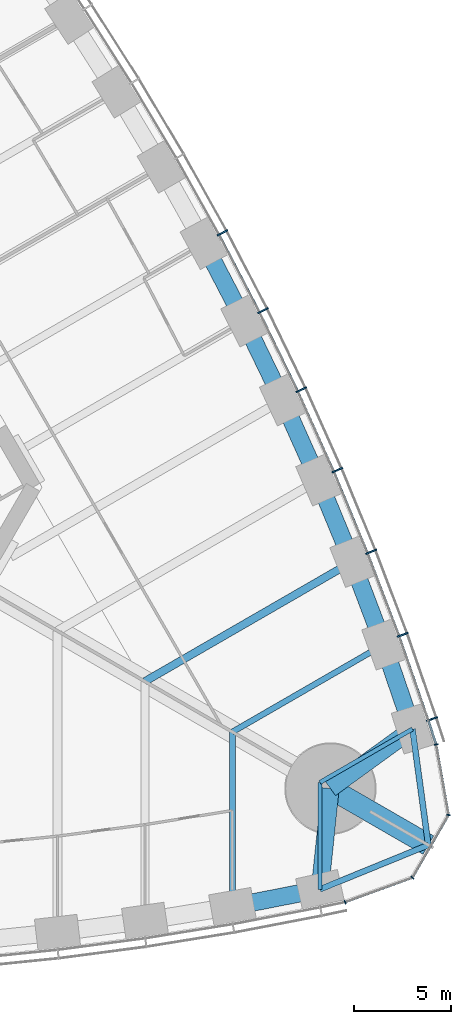
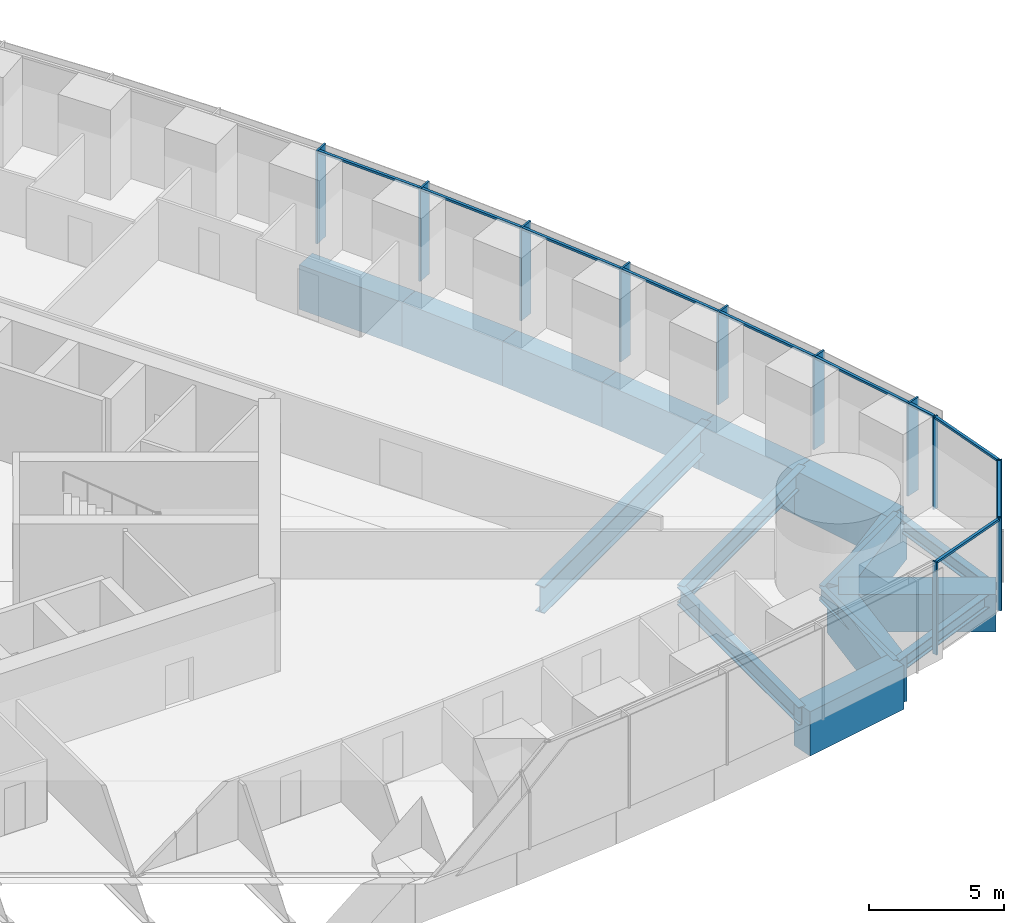
# One storey, part 6 of 18: 21 members, 17 beams, 2 elements without a shape of their own.
"""IFC4 building model written with IfcOpenShell, lengths in metres."""

from ifc_helpers import new_model, si_unit, direction, frame, origin, origin_2d, place, context, subcontext, project, spatial, rectangle, i_section, extrude, material, material_profile, profile_set, type_object, element, aggregate, save


model = new_model("IFC4")

# Units and contexts
model_context = context("Model", 3, precision=1e-05, world=origin(), true_north=direction((0.0, 1.0)))
body_context = subcontext(model_context, "Body", "Model", "MODEL_VIEW")
ifc_project = project(units=[si_unit("LENGTHUNIT", "METRE"), si_unit("AREAUNIT", "SQUARE_METRE"), si_unit("VOLUMEUNIT", "CUBIC_METRE"), si_unit("PLANEANGLEUNIT", "RADIAN"), si_unit("MASSUNIT", "GRAM", prefix="KILO")], contexts=[model_context])

# Site, building, storey
site_placement = place(None, origin())
site = spatial("IfcSite", under=ifc_project, at=site_placement, CompositionType="ELEMENT")
building_placement = place(site_placement, origin())
building = spatial("IfcBuilding", under=site, at=building_placement, Name="Trefoil Bronze Tower", CompositionType="ELEMENT")
storey_placement = place(building_placement, frame((0.0, 0.0, 66.89990234375)))
storey = spatial("IfcBuildingStorey", under=building, at=storey_placement, Name="L15", CompositionType="ELEMENT", Elevation=66.89990234375)

# Curtain wall, members
ifc_material_1 = material(Name="Tinted solar-control glass", Category="glass")
curtain_wall_type_1 = type_object("IfcCurtainWallType", Name="Bronze office curtain wall", PredefinedType="USERDEFINED", material=ifc_material_1)
curtain_wall_1_placement = place(storey_placement, origin())
curtain_wall_1 = element("IfcCurtainWall", 1, at=curtain_wall_1_placement, inside=storey, type_object=curtain_wall_type_1, Name="CW-A L15 F2", ObjectType="CURTAIN WALL", PredefinedType="USERDEFINED")
ifc_material_2 = material(Name="Bronze-finish aluminium", Category="aluminium")
ifc_material_profile_1 = material_profile(ifc_material_2, rectangle(XDim=0.60009765625, YDim=0.080078125, at=origin_2d()), Name="CW-A mullion")
ifc_profile_set_1 = profile_set([ifc_material_profile_1], Name="Bronze-finish aluminium")
member_type_1 = type_object("IfcMemberType", Name="Bronze office curtain wall mullion", PredefinedType="MULLION", material=ifc_profile_set_1)
member_1_placement = place(storey_placement, frame((37.265869140625, -14.92626953125, 0.0), z_axis=(0.0, 0.0, 1.0), x_axis=(-0.947850592929, -0.318715003543, 0.0)))
member_1 = element("IfcMember", 2, at=member_1_placement, type_object=member_type_1, Name="CW-A L15 F2 mullion 2", PredefinedType="MULLION", context=body_context, shape_type="SweptSolid", body=[
    extrude(rectangle(XDim=0.60009765625, YDim=0.080078125, at=origin_2d()), origin(), (0.0, 0.0, 1.0), 4.18017578125),
])
member_2_placement = place(storey_placement, frame((35.761962890625, -10.590087890625, 0.0), z_axis=(0.0, 0.0, 1.0), x_axis=(-0.939860248316, -0.341559238839, 0.0)))
member_2 = element("IfcMember", 3, at=member_2_placement, type_object=member_type_1, Name="CW-A L15 F2 mullion 3", PredefinedType="MULLION", context=body_context, shape_type="SweptSolid", body=[
    extrude(rectangle(XDim=0.60009765625, YDim=0.080078125, at=origin_2d()), origin(), (0.0, 0.0, 1.0), 4.18017578125),
])
member_3_placement = place(storey_placement, frame((34.138916015625, -6.32080078125, 0.0), z_axis=(0.0, 0.0, 1.0), x_axis=(-0.929413605838, -0.369039766534, 0.0)))
member_3 = element("IfcMember", 4, at=member_3_placement, type_object=member_type_1, Name="CW-A L15 F2 mullion 4", PredefinedType="MULLION", context=body_context, shape_type="SweptSolid", body=[
    extrude(rectangle(XDim=0.60009765625, YDim=0.080078125, at=origin_2d()), origin(), (0.0, 0.0, 1.0), 4.18017578125),
])
member_4_placement = place(storey_placement, frame((32.39892578125, -2.119384765625, 0.0), z_axis=(0.0, 0.0, 1.0), x_axis=(-0.918213748442, -0.396085233469, 0.0)))
member_4 = element("IfcMember", 5, at=member_4_placement, type_object=member_type_1, Name="CW-A L15 F2 mullion 5", PredefinedType="MULLION", context=body_context, shape_type="SweptSolid", body=[
    extrude(rectangle(XDim=0.60009765625, YDim=0.080078125, at=origin_2d()), origin(), (0.0, 0.0, 1.0), 4.18017578125),
])
member_5_placement = place(storey_placement, frame((30.543212890625, 2.015380859375, 0.0), z_axis=(0.0, 0.0, 1.0), x_axis=(-0.906269346572, -0.422700687798, 0.0)))
member_5 = element("IfcMember", 6, at=member_5_placement, type_object=member_type_1, Name="CW-A L15 F2 mullion 6", PredefinedType="MULLION", context=body_context, shape_type="SweptSolid", body=[
    extrude(rectangle(XDim=0.60009765625, YDim=0.080078125, at=origin_2d()), origin(), (0.0, 0.0, 1.0), 4.18017578125),
])
member_6_placement = place(storey_placement, frame((28.57275390625, 6.084228515625, 0.0), z_axis=(0.0, 0.0, 1.0), x_axis=(-0.893587025891, -0.448889994497, 0.0)))
member_6 = element("IfcMember", 7, at=member_6_placement, type_object=member_type_1, Name="CW-A L15 F2 mullion 7", PredefinedType="MULLION", context=body_context, shape_type="SweptSolid", body=[
    extrude(rectangle(XDim=0.60009765625, YDim=0.080078125, at=origin_2d()), origin(), (0.0, 0.0, 1.0), 4.18017578125),
])
member_7_placement = place(storey_placement, frame((26.488525390625, 10.0869140625, 0.0), z_axis=(0.0, 0.0, 1.0), x_axis=(-0.880171454588, -0.474655886437, 0.0)))
member_7 = element("IfcMember", 8, at=member_7_placement, type_object=member_type_1, Name="CW-A L15 F2 mullion 8", PredefinedType="MULLION", context=body_context, shape_type="SweptSolid", body=[
    extrude(rectangle(XDim=0.60009765625, YDim=0.080078125, at=origin_2d()), origin(), (0.0, 0.0, 1.0), 4.18017578125),
])
ifc_material_3 = material(Name="Bronze-finish aluminium", Category="aluminium")
ifc_material_profile_2 = material_profile(ifc_material_3, rectangle(XDim=0.1201171875, YDim=0.10009765625, at=origin_2d()), Name="CW-A transom")
ifc_profile_set_2 = profile_set([ifc_material_profile_2], Name="Bronze-finish aluminium")
member_type_2 = type_object("IfcMemberType", Name="Bronze office curtain wall transom", PredefinedType="USERDEFINED", material=ifc_profile_set_2)
member_8_placement = place(storey_placement, frame((37.4638671875, -16.1796875, 4.130126953125), z_axis=(-0.309624219148, 0.950859002648, 0.0), x_axis=(-0.950859002648, -0.309624219148, 0.0)))
member_8 = element("IfcMember", 9, at=member_8_placement, type_object=member_type_2, Name="CW-A L15 F2 transom 1", ObjectType="TRANSOM", PredefinedType="USERDEFINED", context=body_context, shape_type="SweptSolid", body=[
    extrude(rectangle(XDim=0.1201171875, YDim=0.10009765625, at=origin_2d()), origin(), (0.0, 0.0, 1.0), 1.21044921875),
])
member_9_placement = place(storey_placement, frame((37.06298828125, -14.951171875, 4.130126953125), z_axis=(-0.327689728493, 0.944785394595, 0.0), x_axis=(-0.944785394595, -0.327689728493, 0.0)))
member_9 = element("IfcMember", 10, at=member_9_placement, type_object=member_type_2, Name="CW-A L15 F2 transom 2", ObjectType="TRANSOM", PredefinedType="USERDEFINED", context=body_context, shape_type="SweptSolid", body=[
    extrude(rectangle(XDim=0.1201171875, YDim=0.10009765625, at=origin_2d()), origin(), (0.0, 0.0, 1.0), 4.502197265625),
])
member_10_placement = place(storey_placement, frame((35.559326171875, -10.61962890625, 4.130126953125), z_axis=(-0.355367327392, 0.934726731522, 0.0), x_axis=(-0.934726731522, -0.355367327392, 0.0)))
member_10 = element("IfcMember", 11, at=member_10_placement, type_object=member_type_2, Name="CW-A L15 F2 transom 3", ObjectType="TRANSOM", PredefinedType="USERDEFINED", context=body_context, shape_type="SweptSolid", body=[
    extrude(rectangle(XDim=0.1201171875, YDim=0.10009765625, at=origin_2d()), origin(), (0.0, 0.0, 1.0), 4.478515625),
])
member_11_placement = place(storey_placement, frame((33.937255859375, -6.3564453125, 4.130126953125), z_axis=(-0.382616149417, 0.923907399151, 0.0), x_axis=(-0.923907399151, -0.382616149417, 0.0)))
member_11 = element("IfcMember", 12, at=member_11_placement, type_object=member_type_2, Name="CW-A L15 F2 transom 4", ObjectType="TRANSOM", PredefinedType="USERDEFINED", context=body_context, shape_type="SweptSolid", body=[
    extrude(rectangle(XDim=0.1201171875, YDim=0.10009765625, at=origin_2d()), origin(), (0.0, 0.0, 1.0), 4.458984375),
])
member_12_placement = place(storey_placement, frame((32.1982421875, -2.16064453125, 4.130126953125), z_axis=(-0.409459746452, 0.912328184392, 0.0), x_axis=(-0.912328184392, -0.409459746452, 0.0)))
member_12 = element("IfcMember", 13, at=member_12_placement, type_object=member_type_2, Name="CW-A L15 F2 transom 5", ObjectType="TRANSOM", PredefinedType="USERDEFINED", context=body_context, shape_type="SweptSolid", body=[
    extrude(rectangle(XDim=0.1201171875, YDim=0.10009765625, at=origin_2d()), origin(), (0.0, 0.0, 1.0), 4.443359375),
])
member_13_placement = place(storey_placement, frame((30.34375, 1.96826171875, 4.130126953125), z_axis=(-0.435851763293, 0.900018466719, 0.0), x_axis=(-0.900018466719, -0.435851763293, 0.0)))
member_13 = element("IfcMember", 14, at=member_13_placement, type_object=member_type_2, Name="CW-A L15 F2 transom 6", ObjectType="TRANSOM", PredefinedType="USERDEFINED", context=body_context, shape_type="SweptSolid", body=[
    extrude(rectangle(XDim=0.1201171875, YDim=0.10009765625, at=origin_2d()), origin(), (0.0, 0.0, 1.0), 4.431884765625),
])
member_14_placement = place(storey_placement, frame((28.375, 6.031005859375, 4.130126953125), z_axis=(-0.461809621225, 0.886979071762, 0.0), x_axis=(-0.886979071762, -0.461809621225, 0.0)))
member_14 = element("IfcMember", 15, at=member_14_placement, type_object=member_type_2, Name="CW-A L15 F2 transom 7", ObjectType="TRANSOM", PredefinedType="USERDEFINED", context=body_context, shape_type="SweptSolid", body=[
    extrude(rectangle(XDim=0.1201171875, YDim=0.10009765625, at=origin_2d()), origin(), (0.0, 0.0, 1.0), 4.42431640625),
])
aggregate(curtain_wall_1, [member_1, member_2, member_3, member_4, member_5, member_6, member_7, member_8, member_9, member_10, member_11, member_12, member_13, member_14])

ifc_material_4 = material(Name="Tinted solar-control glass", Category="glass")
curtain_wall_type_2 = type_object("IfcCurtainWallType", Name="Bronze rounded corner curtain wall", PredefinedType="USERDEFINED", material=ifc_material_4)
curtain_wall_2_placement = place(storey_placement, origin())
curtain_wall_2 = element("IfcCurtainWall", 16, at=curtain_wall_2_placement, inside=storey, type_object=curtain_wall_type_2, Name="CW-B L15 K1", ObjectType="CURTAIN WALL", PredefinedType="USERDEFINED")
ifc_material_5 = material(Name="Bronze-finish aluminium", Category="aluminium")
ifc_material_profile_3 = material_profile(ifc_material_5, rectangle(XDim=0.199951171875, YDim=0.06005859375, at=origin_2d()), Name="CW-B mullion")
ifc_profile_set_3 = profile_set([ifc_material_profile_3], Name="Bronze-finish aluminium")
member_type_3 = type_object("IfcMemberType", Name="Bronze rounded corner curtain wall mullion", PredefinedType="MULLION", material=ifc_profile_set_3)
member_15_placement = place(storey_placement, frame((32.796630859375, -24.3427734375, 0.0), z_axis=(0.0, 0.0, 1.0), x_axis=(-0.342020143326, 0.939692620786, 0.0)))
member_15 = element("IfcMember", 17, at=member_15_placement, type_object=member_type_3, Name="CW-B L15 K1 mullion 1", PredefinedType="MULLION", context=body_context, shape_type="SweptSolid", body=[
    extrude(rectangle(XDim=0.199951171875, YDim=0.06005859375, at=origin_2d()), origin(), (0.0, 0.0, 1.0), 4.18017578125),
])
member_16_placement = place(storey_placement, frame((36.2548828125, -23.07763671875, 0.0), z_axis=(0.0, 0.0, 1.0), x_axis=(-0.642787609687, 0.766044443119, 0.0)))
member_16 = element("IfcMember", 18, at=member_16_placement, type_object=member_type_3, Name="CW-B L15 K1 mullion 2", PredefinedType="MULLION", context=body_context, shape_type="SweptSolid", body=[
    extrude(rectangle(XDim=0.199951171875, YDim=0.06005859375, at=origin_2d()), origin(), (0.0, 0.0, 1.0), 4.18017578125),
])
member_17_placement = place(storey_placement, frame((38.11328125, -19.85888671875, 0.0), z_axis=(0.0, 0.0, 1.0), x_axis=(-0.984807753012, 0.173648177667, 0.0)))
member_17 = element("IfcMember", 19, at=member_17_placement, type_object=member_type_3, Name="CW-B L15 K1 mullion 3", PredefinedType="MULLION", context=body_context, shape_type="SweptSolid", body=[
    extrude(rectangle(XDim=0.199951171875, YDim=0.06005859375, at=origin_2d()), origin(), (0.0, 0.0, 1.0), 4.18017578125),
])
member_18_placement = place(storey_placement, frame((37.479736328125, -16.2314453125, 0.0), z_axis=(0.0, 0.0, 1.0), x_axis=(-0.984807753012, -0.173648177667, 0.0)))
member_18 = element("IfcMember", 20, at=member_18_placement, type_object=member_type_3, Name="CW-B L15 K1 mullion 4", PredefinedType="MULLION", context=body_context, shape_type="SweptSolid", body=[
    extrude(rectangle(XDim=0.199951171875, YDim=0.06005859375, at=origin_2d()), origin(), (0.0, 0.0, 1.0), 4.18017578125),
])
ifc_material_6 = material(Name="Bronze-finish aluminium", Category="aluminium")
ifc_material_profile_4 = material_profile(ifc_material_6, rectangle(XDim=0.1201171875, YDim=0.10009765625, at=origin_2d()), Name="CW-B transom")
ifc_profile_set_4 = profile_set([ifc_material_profile_4], Name="Bronze-finish aluminium")
member_type_4 = type_object("IfcMemberType", Name="Bronze rounded corner curtain wall transom", PredefinedType="USERDEFINED", material=ifc_profile_set_4)
member_19_placement = place(storey_placement, frame((32.82470703125, -24.33251953125, 4.130126953125), z_axis=(0.939688092095, 0.342032585545, 0.0), x_axis=(-0.342032585545, 0.939688092095, 0.0)))
member_19 = element("IfcMember", 21, at=member_19_placement, type_object=member_type_4, Name="CW-B L15 K1 transom 1", ObjectType="TRANSOM", PredefinedType="USERDEFINED", context=body_context, shape_type="SweptSolid", body=[
    extrude(rectangle(XDim=0.1201171875, YDim=0.10009765625, at=origin_2d()), origin(), (0.0, 0.0, 1.0), 3.588134765625),
])
member_20_placement = place(storey_placement, frame((36.292236328125, -23.02490234375, 4.130126953125), z_axis=(0.500024788772, 0.866011091507, 0.0), x_axis=(-0.866011091507, 0.500024788772, 0.0)))
member_20 = element("IfcMember", 22, at=member_20_placement, type_object=member_type_4, Name="CW-B L15 K1 transom 2", ObjectType="TRANSOM", PredefinedType="USERDEFINED", context=body_context, shape_type="SweptSolid", body=[
    extrude(rectangle(XDim=0.1201171875, YDim=0.10009765625, at=origin_2d()), origin(), (0.0, 0.0, 1.0), 3.588134765625),
])
member_21_placement = place(storey_placement, frame((38.10791015625, -19.794677734375, 4.130126953125), z_axis=(-0.17363783606, 0.984809576461, 0.0), x_axis=(-0.984809576461, -0.17363783606, 0.0)))
member_21 = element("IfcMember", 23, at=member_21_placement, type_object=member_type_4, Name="CW-B L15 K1 transom 3", ObjectType="TRANSOM", PredefinedType="USERDEFINED", context=body_context, shape_type="SweptSolid", body=[
    extrude(rectangle(XDim=0.1201171875, YDim=0.10009765625, at=origin_2d()), origin(), (0.0, 0.0, 1.0), 3.588134765625),
])
aggregate(curtain_wall_2, [member_15, member_16, member_17, member_18, member_19, member_20, member_21])

# Beams
ifc_material_7 = material(Name="Concrete B80", Category="concrete")
ifc_material_profile_5 = material_profile(ifc_material_7, rectangle(XDim=1.10009765625, YDim=1.699951171875, at=origin_2d()), Name="RC 1100x1700")
ifc_profile_set_5 = profile_set([ifc_material_profile_5], Name="Concrete B80")
beam_type_1 = type_object("IfcBeamType", Name="Corner cantilever RC 1100x1700", PredefinedType="BEAM", material=ifc_profile_set_5)
beam_1_placement = place(storey_placement, frame((32.04296875, -18.5, -1.0498046875), z_axis=(0.866030348588, -0.499991435252, 0.0), x_axis=(0.499991435252, 0.866030348588, 0.0)))
element("IfcBeam", 24, at=beam_1_placement, inside=storey, type_object=beam_type_1, Name="Corner cantilever K1 L15", PredefinedType="BEAM", context=body_context, shape_type="SweptSolid", body=[
    extrude(rectangle(XDim=1.10009765625, YDim=1.699951171875, at=origin_2d()), origin(), (0.0, 0.0, 1.0), 5.81396484375),
])
ifc_material_8 = material(Name="Steel C355", Category="steel")
ifc_material_profile_6 = material_profile(ifc_material_8, i_section(OverallWidth=0.300048828125, OverallDepth=0.60009765625, WebThickness=0.015380859375, FlangeThickness=0.030029296875, FilletRadius=0.027099609375, at=origin_2d()), Name="HEB 600")
ifc_profile_set_6 = profile_set([ifc_material_profile_6], Name="Steel C355")
beam_type_2 = type_object("IfcBeamType", Name="Corner edge beam HEB 600", PredefinedType="BEAM", material=ifc_profile_set_6)
beam_2_placement = place(storey_placement, frame((31.5, -23.684814453125, -0.5), z_axis=(0.925786874353, 0.378045848114, 0.0), x_axis=(-0.378045848114, 0.925786874353, 0.0)))
element("IfcBeam", 25, at=beam_2_placement, inside=storey, type_object=beam_type_2, Name="Corner edge beam F1A L15", PredefinedType="BEAM", context=body_context, shape_type="SweptSolid", body=[
    extrude(i_section(OverallWidth=0.300048828125, OverallDepth=0.60009765625, WebThickness=0.015380859375, FlangeThickness=0.030029296875, FilletRadius=0.027099609375, at=origin_2d()), origin(), (0.0, 0.0, 1.0), 6.025390625),
])
beam_3_placement = place(storey_placement, frame((36.26171875, -15.4375, -0.5), z_axis=(0.13550196505, -0.990777077585, 0.0), x_axis=(0.990777077585, 0.13550196505, 0.0)))
element("IfcBeam", 26, at=beam_3_placement, inside=storey, type_object=beam_type_2, Name="Corner edge beam F2B L15", PredefinedType="BEAM", context=body_context, shape_type="SweptSolid", body=[
    extrude(i_section(OverallWidth=0.300048828125, OverallDepth=0.60009765625, WebThickness=0.015380859375, FlangeThickness=0.030029296875, FilletRadius=0.027099609375, at=origin_2d()), origin(), (0.0, 0.0, 1.0), 6.025146484375),
])
ifc_material_9 = material(Name="Concrete B80", Category="concrete")
ifc_material_profile_7 = material_profile(ifc_material_9, rectangle(XDim=0.89990234375, YDim=2.0, at=origin_2d()), Name="RC 900x2000")
ifc_profile_set_7 = profile_set([ifc_material_profile_7], Name="Concrete B80")
beam_type_3 = type_object("IfcBeamType", Name="End spandrel beam RC 900x2000", PredefinedType="SPANDREL", material=ifc_profile_set_7)
for number, where, z_axis, x_axis, name in (
    (27, (31.5, -23.684814453125, -1.199951171875), (0.104153327908, 0.994561252154, 0.0), (-0.994561252154, 0.104153327908, 0.0), "Spandrel F1.16 L15"),
    (28, (32.04296875, -18.5, -1.199951171875), (0.809254211267, 0.587458612624, 0.0), (-0.587458612624, 0.809254211267, 0.0), "Spandrel F2.1 L15"),
):
    element("IfcBeam", number, at=place(storey_placement, frame(where, z_axis=z_axis, x_axis=x_axis)), inside=storey, type_object=beam_type_3, Name=name, PredefinedType="SPANDREL", context=body_context, shape_type="SweptSolid", body=[
        extrude(rectangle(XDim=0.89990234375, YDim=2.0, at=origin_2d()), origin(), (0.0, 0.0, 1.0), 5.213134765625),
    ])
ifc_material_10 = material(Name="Steel C355", Category="steel")
ifc_material_profile_8 = material_profile(ifc_material_10, i_section(OverallWidth=0.300048828125, OverallDepth=0.800048828125, WebThickness=0.017578125, FlangeThickness=0.032958984375, FilletRadius=0.030029296875, at=origin_2d()), Name="HEB 800")
ifc_profile_set_8 = profile_set([ifc_material_profile_8], Name="Steel C355")
beam_type_4 = type_object("IfcBeamType", Name="Floor beam HEB 800", PredefinedType="BEAM", material=ifc_profile_set_8)
for number, where, z_axis, x_axis, name in (
    (29, (27.0, -24.56787109375, -0.599853515625), (0.0, 1.0, 0.0), (-1.0, 0.0, 0.0), "Floor beam F1/+6 L15"),
    (30, (34.7763671875, -11.0986328125, -0.599853515625), (-0.866022587327, -0.500004878216, 0.0), (0.500004878216, -0.866022587327, 0.0), "Floor beam F2/-6 L15"),
):
    element("IfcBeam", number, at=place(storey_placement, frame(where, z_axis=z_axis, x_axis=x_axis)), inside=storey, type_object=beam_type_4, Name=name, PredefinedType="BEAM", context=body_context, shape_type="SweptSolid", body=[
        extrude(i_section(OverallWidth=0.300048828125, OverallDepth=0.800048828125, WebThickness=0.017578125, FlangeThickness=0.032958984375, FilletRadius=0.030029296875, at=origin_2d()), origin(), (0.0, 0.0, 1.0), 8.9794921875),
    ])
ifc_material_11 = material(Name="Steel C355", Category="steel")
ifc_material_profile_9 = material_profile(ifc_material_11, i_section(OverallWidth=0.219970703125, OverallDepth=0.60009765625, WebThickness=0.011962890625, FlangeThickness=0.01904296875, FilletRadius=0.02392578125, at=origin_2d()), Name="IPE 600")
ifc_profile_set_9 = profile_set([ifc_material_profile_9], Name="Steel C355")
beam_type_5 = type_object("IfcBeamType", Name="Floor beam IPE 600", PredefinedType="BEAM", material=ifc_profile_set_9)
for number, where, z_axis, x_axis, name in (
    (31, (31.5, -23.684814453125, -0.5), (0.0, 1.0, 0.0), (-1.0, 0.0, 0.0), "Floor beam F1/+7 L15"),
    (32, (36.26171875, -15.4375, -0.5), (-0.866037702141, -0.499978698016, 0.0), (0.499978698016, -0.866037702141, 0.0), "Floor beam F2/-7 L15"),
):
    element("IfcBeam", number, at=place(storey_placement, frame(where, z_axis=z_axis, x_axis=x_axis)), inside=storey, type_object=beam_type_5, Name=name, PredefinedType="BEAM", context=body_context, shape_type="SweptSolid", body=[
        extrude(i_section(OverallWidth=0.219970703125, OverallDepth=0.60009765625, WebThickness=0.011962890625, FlangeThickness=0.01904296875, FilletRadius=0.02392578125, at=origin_2d()), origin(), (0.0, 0.0, 1.0), 5.498291015625),
    ])
ifc_material_12 = material(Name="Steel C355", Category="steel")
ifc_material_profile_10 = material_profile(ifc_material_12, i_section(OverallWidth=0.39990234375, OverallDepth=1.199951171875, WebThickness=0.02001953125, FlangeThickness=0.0400390625, FilletRadius=0.010009765625, at=origin_2d()), Name="WPG 1200")
ifc_profile_set_10 = profile_set([ifc_material_profile_10], Name="Steel C355")
beam_type_6 = type_object("IfcBeamType", Name="Floor beam WPG 1200", PredefinedType="BEAM", material=ifc_profile_set_10)
beam_4_placement = place(storey_placement, frame((33.159912109375, -6.8359375, -0.7998046875), z_axis=(-0.866024070878, -0.500002308654, 0.0), x_axis=(0.500002308654, -0.866024070878, 0.0)))
element("IfcBeam", 33, at=beam_4_placement, inside=storey, type_object=beam_type_6, Name="Floor beam F2/-5 L15", PredefinedType="BEAM", context=body_context, shape_type="SweptSolid", body=[
    extrude(i_section(OverallWidth=0.39990234375, OverallDepth=1.199951171875, WebThickness=0.02001953125, FlangeThickness=0.0400390625, FilletRadius=0.010009765625, at=origin_2d()), origin(), (0.0, 0.0, 1.0), 12.30908203125),
])
ifc_material_13 = material(Name="Concrete B80", Category="concrete")
ifc_material_profile_11 = material_profile(ifc_material_13, rectangle(XDim=0.89990234375, YDim=2.0, at=origin_2d()), Name="RC 900x2000")
ifc_profile_set_11 = profile_set([ifc_material_profile_11], Name="Concrete B80")
beam_type_7 = type_object("IfcBeamType", Name="Spandrel beam RC 900x2000", PredefinedType="SPANDREL", material=ifc_profile_set_11)
beam_5_placement = place(storey_placement, frame((27.0, -24.56787109375, -1.199951171875), z_axis=(0.981284764092, 0.192562228283, 0.0), x_axis=(-0.192562228283, 0.981284764092, 0.0)))
element("IfcBeam", 34, at=beam_5_placement, inside=storey, type_object=beam_type_7, Name="Spandrel F1.15 L15", PredefinedType="SPANDREL", context=body_context, shape_type="SweptSolid", body=[
    extrude(rectangle(XDim=0.89990234375, YDim=2.0, at=origin_2d()), origin(), (0.0, 0.0, 1.0), 4.5859375),
])
beam_6_placement = place(storey_placement, frame((36.26171875, -15.4375, -1.199951171875), z_axis=(-0.323883319148, 0.946097032855, 0.0), x_axis=(-0.946097032855, -0.323883319148, 0.0)))
element("IfcBeam", 35, at=beam_6_placement, inside=storey, type_object=beam_type_7, Name="Spandrel F2.2 L15", PredefinedType="SPANDREL", context=body_context, shape_type="SweptSolid", body=[
    extrude(rectangle(XDim=0.89990234375, YDim=2.0, at=origin_2d()), origin(), (0.0, 0.0, 1.0), 4.586181640625),
])
beam_7_placement = place(storey_placement, frame((34.7763671875, -11.0986328125, -1.199951171875), z_axis=(-0.354571899767, 0.935028752443, 0.0), x_axis=(-0.935028752443, -0.354571899767, 0.0)))
element("IfcBeam", 36, at=beam_7_placement, inside=storey, type_object=beam_type_7, Name="Spandrel F2.3 L15", PredefinedType="SPANDREL", context=body_context, shape_type="SweptSolid", body=[
    extrude(rectangle(XDim=0.89990234375, YDim=2.0, at=origin_2d()), origin(), (0.0, 0.0, 1.0), 4.558837890625),
])
beam_8_placement = place(storey_placement, frame((33.159912109375, -6.8359375, -1.199951171875), z_axis=(-0.382020825144, 0.924153715113, 0.0), x_axis=(-0.924153715113, -0.382020825144, 0.0)))
element("IfcBeam", 37, at=beam_8_placement, inside=storey, type_object=beam_type_7, Name="Spandrel F2.4 L15", PredefinedType="SPANDREL", context=body_context, shape_type="SweptSolid", body=[
    extrude(rectangle(XDim=0.89990234375, YDim=2.0, at=origin_2d()), origin(), (0.0, 0.0, 1.0), 4.539306640625),
])
beam_9_placement = place(storey_placement, frame((31.42578125, -2.640869140625, -1.199951171875), z_axis=(-0.408945873044, 0.912558640812, 0.0), x_axis=(-0.912558640812, -0.408945873044, 0.0)))
element("IfcBeam", 38, at=beam_9_placement, inside=storey, type_object=beam_type_7, Name="Spandrel F2.5 L15", PredefinedType="SPANDREL", context=body_context, shape_type="SweptSolid", body=[
    extrude(rectangle(XDim=0.89990234375, YDim=2.0, at=origin_2d()), origin(), (0.0, 0.0, 1.0), 4.5234375),
])
beam_10_placement = place(storey_placement, frame((29.575927734375, 1.487060546875, -1.199951171875), z_axis=(-0.435510013583, 0.900183885697, 0.0), x_axis=(-0.900183885697, -0.435510013583, 0.0)))
element("IfcBeam", 39, at=beam_10_placement, inside=storey, type_object=beam_type_7, Name="Spandrel F2.6 L15", PredefinedType="SPANDREL", context=body_context, shape_type="SweptSolid", body=[
    extrude(rectangle(XDim=0.89990234375, YDim=2.0, at=origin_2d()), origin(), (0.0, 0.0, 1.0), 4.51220703125),
])
beam_11_placement = place(storey_placement, frame((27.61083984375, 5.548828125, -1.199951171875), z_axis=(-0.461637716615, 0.887068553495, 0.0), x_axis=(-0.887068553495, -0.461637716615, 0.0)))
element("IfcBeam", 40, at=beam_11_placement, inside=storey, type_object=beam_type_7, Name="Spandrel F2.7 L15", PredefinedType="SPANDREL", context=body_context, shape_type="SweptSolid", body=[
    extrude(rectangle(XDim=0.89990234375, YDim=2.0, at=origin_2d()), origin(), (0.0, 0.0, 1.0), 4.50439453125),
])

save(model, "model.ifc")
